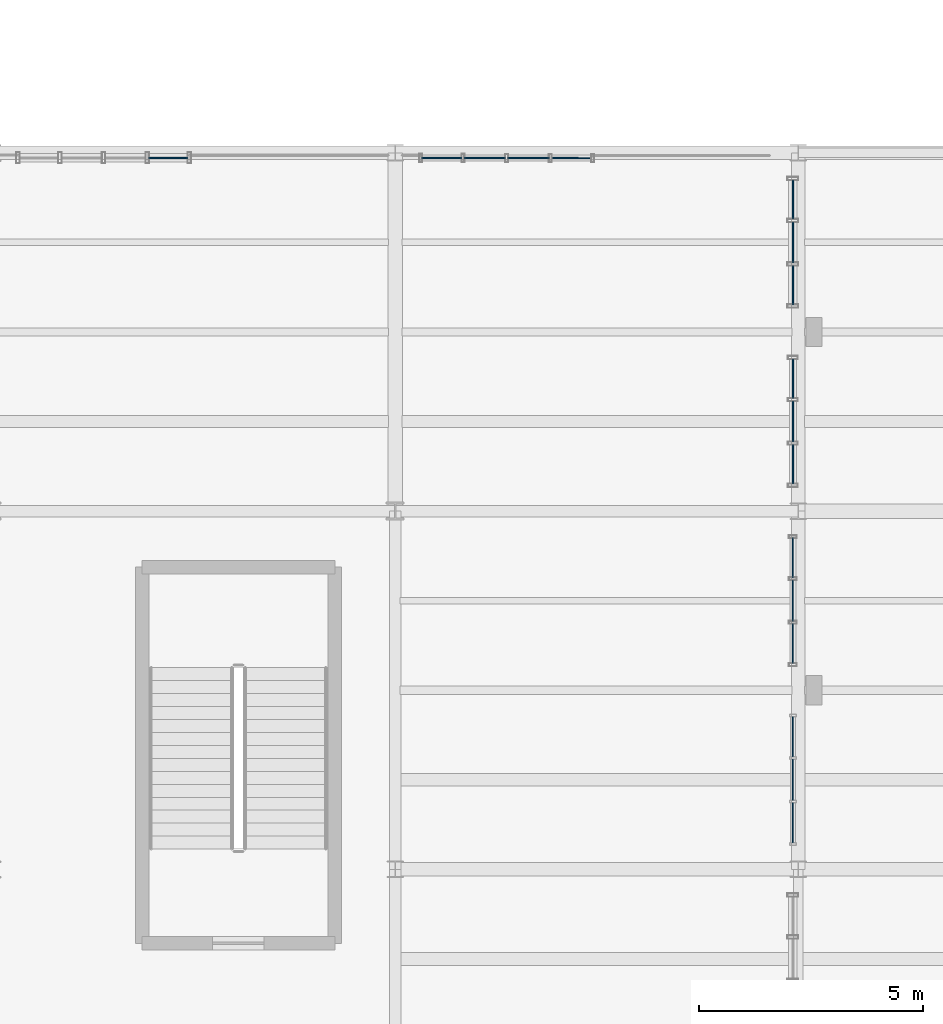
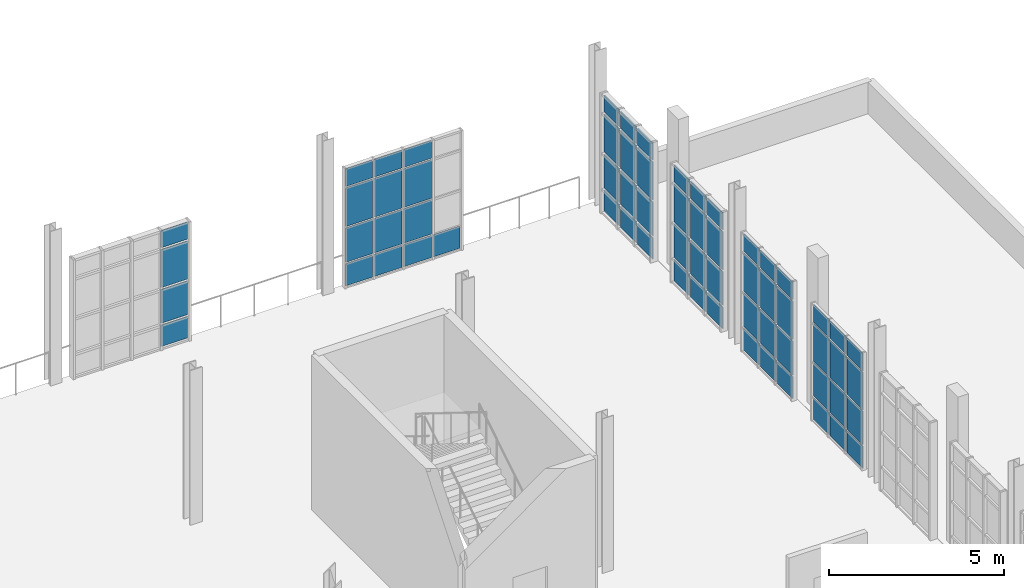
# One storey, part 117 of 142: 65 plates, 6 elements without a shape of their own.
"""IFC4 building model written with IfcOpenShell, lengths in metres."""

from ifc_helpers import new_model, si_unit, direction, frame, origin, origin_2d, place, context, subcontext, project, spatial, rectangle, extrude, material, layer, layer_set, type_object, element, aggregate, save


model = new_model("IFC4")

# Units and contexts
model_context = context("Model", 3, precision=1e-05, world=origin(), true_north=direction((0.0, 1.0)))
body_context = subcontext(model_context, "Body", "Model", "MODEL_VIEW")
ifc_project = project(units=[si_unit("LENGTHUNIT", "METRE"), si_unit("AREAUNIT", "SQUARE_METRE"), si_unit("VOLUMEUNIT", "CUBIC_METRE"), si_unit("PLANEANGLEUNIT", "RADIAN"), si_unit("MASSUNIT", "GRAM", prefix="KILO"), si_unit("THERMODYNAMICTEMPERATUREUNIT", "KELVIN"), si_unit("POWERUNIT", "WATT")], contexts=[model_context])

# Site, building, storey
site_placement = place(None, origin())
site = spatial("IfcSite", under=ifc_project, at=site_placement, CompositionType="ELEMENT")
building_placement = place(site_placement, origin())
building = spatial("IfcBuilding", under=site, at=building_placement, Name="Zelmaris Science Centre", CompositionType="ELEMENT")
storey_placement = place(building_placement, frame((0.0, 0.0, 5.39990234375)))
storey = spatial("IfcBuildingStorey", under=building, at=storey_placement, Name="L01", CompositionType="ELEMENT", Elevation=5.39990234375)

# Curtain wall, plates
ifc_material_1 = material(Name="Anodised architectural aluminium 6063-T6", Category="aluminium")
ifc_layer_1 = layer(ifc_material_1, 0.18994140625, Name="Anodised architectural aluminium 6063-T6")
ifc_layer_set_1 = layer_set([ifc_layer_1], Name="Anodised architectural aluminium 6063-T6")
curtain_wall_type_1 = type_object("IfcCurtainWallType", Name="Curtain Wall CW-01", PredefinedType="USERDEFINED", material=ifc_layer_set_1)
curtain_wall_1_placement = place(storey_placement, origin())
curtain_wall_1 = element("IfcCurtainWall", 1, at=curtain_wall_1_placement, inside=storey, type_object=curtain_wall_type_1, Name="L01 Unitised curtain wall 145", ObjectType="GLAZED CURTAIN WALL", PredefinedType="USERDEFINED")
ifc_material_2 = material(Name="Laminated hurricane-rated low-E insulated glazing", Category="glass")
ifc_layer_2 = layer(ifc_material_2, 0.031982421875, Name="Laminated hurricane-rated low-E insulated glazing")
ifc_layer_set_2 = layer_set([ifc_layer_2], Name="Laminated hurricane-rated low-E insulated glazing")
plate_type_1 = type_object("IfcPlateType", Name="Curtain Glazing Panel CWP-1 32mm", PredefinedType="CURTAIN_PANEL", material=ifc_layer_set_2)
plate_1_placement = place(storey_placement, frame((129.934326171875, 55.886962890625, 0.05712890625), z_axis=(0.0, 0.0, 1.0), x_axis=(0.999999881328, -0.000487179425, 0.0)))
plate_1 = element("IfcPlate", 2, at=plate_1_placement, type_object=plate_type_1, Name="CW-01 panel 4.1", PredefinedType="CURTAIN_PANEL", context=body_context, shape_type="SweptSolid", body=[
    extrude(rectangle(XDim=0.866943359375, YDim=0.031982421875, at=origin_2d()), origin(), (0.0, 0.0, 1.0), 0.741943359375),
])
plate_2_placement = place(storey_placement, frame((129.934326171875, 55.886962890625, 0.87109375), z_axis=(0.0, 0.0, 1.0), x_axis=(0.999999881328, -0.000487179425, 0.0)))
plate_2 = element("IfcPlate", 3, at=plate_2_placement, type_object=plate_type_1, Name="CW-01 panel 4.2", PredefinedType="CURTAIN_PANEL", context=body_context, shape_type="SweptSolid", body=[
    extrude(rectangle(XDim=0.866943359375, YDim=0.031982421875, at=origin_2d()), origin(), (0.0, 0.0, 1.0), 1.172119140625),
])
plate_3_placement = place(storey_placement, frame((129.934326171875, 55.886962890625, 2.115234375), z_axis=(0.0, 0.0, 1.0), x_axis=(0.999999881328, -0.000487179425, 0.0)))
plate_3 = element("IfcPlate", 4, at=plate_3_placement, type_object=plate_type_1, Name="CW-01 panel 4.3", PredefinedType="CURTAIN_PANEL", context=body_context, shape_type="SweptSolid", body=[
    extrude(rectangle(XDim=0.866943359375, YDim=0.031982421875, at=origin_2d()), origin(), (0.0, 0.0, 1.0), 1.322021484375),
])
plate_4_placement = place(storey_placement, frame((129.934326171875, 55.886962890625, 3.50927734375), z_axis=(0.0, 0.0, 1.0), x_axis=(0.999999881328, -0.000487179425, 0.0)))
plate_4 = element("IfcPlate", 5, at=plate_4_placement, type_object=plate_type_1, Name="CW-01 panel 4.4", PredefinedType="CURTAIN_PANEL", context=body_context, shape_type="SweptSolid", body=[
    extrude(rectangle(XDim=0.866943359375, YDim=0.031982421875, at=origin_2d()), origin(), (0.0, 0.0, 1.0), 0.592041015625),
])
aggregate(curtain_wall_1, [plate_1, plate_2, plate_3, plate_4])

curtain_wall_2_placement = place(storey_placement, origin())
curtain_wall_2 = element("IfcCurtainWall", 6, at=curtain_wall_2_placement, inside=storey, type_object=curtain_wall_type_1, Name="L01 Unitised curtain wall 149", ObjectType="GLAZED CURTAIN WALL", PredefinedType="USERDEFINED")
plate_5_placement = place(storey_placement, frame((143.8798828125, 54.955322265625, 0.05712890625), z_axis=(0.0, 0.0, 1.0), x_axis=(0.0, -1.0, 0.0)))
plate_5 = element("IfcPlate", 7, at=plate_5_placement, type_object=plate_type_1, Name="CW-01 panel 1.1", PredefinedType="CURTAIN_PANEL", context=body_context, shape_type="SweptSolid", body=[
    extrude(rectangle(XDim=0.865234375, YDim=0.031982421875, at=origin_2d()), origin(), (0.0, 0.0, 1.0), 0.741943359375),
])
plate_6_placement = place(storey_placement, frame((143.8798828125, 54.955322265625, 0.87109375), z_axis=(0.0, 0.0, 1.0), x_axis=(0.0, -1.0, 0.0)))
plate_6 = element("IfcPlate", 8, at=plate_6_placement, type_object=plate_type_1, Name="CW-01 panel 1.2", PredefinedType="CURTAIN_PANEL", context=body_context, shape_type="SweptSolid", body=[
    extrude(rectangle(XDim=0.865234375, YDim=0.031982421875, at=origin_2d()), origin(), (0.0, 0.0, 1.0), 1.178466796875),
])
plate_7_placement = place(storey_placement, frame((143.8798828125, 54.955322265625, 2.12158203125), z_axis=(0.0, 0.0, 1.0), x_axis=(0.0, -1.0, 0.0)))
plate_7 = element("IfcPlate", 9, at=plate_7_placement, type_object=plate_type_1, Name="CW-01 panel 1.3", PredefinedType="CURTAIN_PANEL", context=body_context, shape_type="SweptSolid", body=[
    extrude(rectangle(XDim=0.865234375, YDim=0.031982421875, at=origin_2d()), origin(), (0.0, 0.0, 1.0), 1.32861328125),
])
plate_8_placement = place(storey_placement, frame((143.8798828125, 54.955322265625, 3.52197265625), z_axis=(0.0, 0.0, 1.0), x_axis=(0.0, -1.0, 0.0)))
plate_8 = element("IfcPlate", 10, at=plate_8_placement, type_object=plate_type_1, Name="CW-01 panel 1.4", PredefinedType="CURTAIN_PANEL", context=body_context, shape_type="SweptSolid", body=[
    extrude(rectangle(XDim=0.865234375, YDim=0.031982421875, at=origin_2d()), origin(), (0.0, 0.0, 1.0), 0.592041015625),
])
plate_9_placement = place(storey_placement, frame((143.8798828125, 54.0, 0.05712890625), z_axis=(0.0, 0.0, 1.0), x_axis=(0.0, -1.0, 0.0)))
plate_9 = element("IfcPlate", 11, at=plate_9_placement, type_object=plate_type_1, Name="CW-01 panel 2.1", PredefinedType="CURTAIN_PANEL", context=body_context, shape_type="SweptSolid", body=[
    extrude(rectangle(XDim=0.9013671875, YDim=0.031982421875, at=origin_2d()), origin(), (0.0, 0.0, 1.0), 0.741943359375),
])
plate_10_placement = place(storey_placement, frame((143.8798828125, 54.0, 0.87109375), z_axis=(0.0, 0.0, 1.0), x_axis=(0.0, -1.0, 0.0)))
plate_10 = element("IfcPlate", 12, at=plate_10_placement, type_object=plate_type_1, Name="CW-01 panel 2.2", PredefinedType="CURTAIN_PANEL", context=body_context, shape_type="SweptSolid", body=[
    extrude(rectangle(XDim=0.9013671875, YDim=0.031982421875, at=origin_2d()), origin(), (0.0, 0.0, 1.0), 1.178466796875),
])
plate_11_placement = place(storey_placement, frame((143.8798828125, 54.0, 2.12158203125), z_axis=(0.0, 0.0, 1.0), x_axis=(0.0, -1.0, 0.0)))
plate_11 = element("IfcPlate", 13, at=plate_11_placement, type_object=plate_type_1, Name="CW-01 panel 2.3", PredefinedType="CURTAIN_PANEL", context=body_context, shape_type="SweptSolid", body=[
    extrude(rectangle(XDim=0.9013671875, YDim=0.031982421875, at=origin_2d()), origin(), (0.0, 0.0, 1.0), 1.32861328125),
])
plate_12_placement = place(storey_placement, frame((143.8798828125, 54.0, 3.52197265625), z_axis=(0.0, 0.0, 1.0), x_axis=(0.0, -1.0, 0.0)))
plate_12 = element("IfcPlate", 14, at=plate_12_placement, type_object=plate_type_1, Name="CW-01 panel 2.4", PredefinedType="CURTAIN_PANEL", context=body_context, shape_type="SweptSolid", body=[
    extrude(rectangle(XDim=0.9013671875, YDim=0.031982421875, at=origin_2d()), origin(), (0.0, 0.0, 1.0), 0.592041015625),
])
plate_13_placement = place(storey_placement, frame((143.8798828125, 53.044677734375, 0.05712890625), z_axis=(0.0, 0.0, 1.0), x_axis=(0.0, -1.0, 0.0)))
plate_13 = element("IfcPlate", 15, at=plate_13_placement, type_object=plate_type_1, Name="CW-01 panel 3.1", PredefinedType="CURTAIN_PANEL", context=body_context, shape_type="SweptSolid", body=[
    extrude(rectangle(XDim=0.865234375, YDim=0.031982421875, at=origin_2d()), origin(), (0.0, 0.0, 1.0), 0.741943359375),
])
plate_14_placement = place(storey_placement, frame((143.8798828125, 53.044677734375, 0.87109375), z_axis=(0.0, 0.0, 1.0), x_axis=(0.0, -1.0, 0.0)))
plate_14 = element("IfcPlate", 16, at=plate_14_placement, type_object=plate_type_1, Name="CW-01 panel 3.2", PredefinedType="CURTAIN_PANEL", context=body_context, shape_type="SweptSolid", body=[
    extrude(rectangle(XDim=0.865234375, YDim=0.031982421875, at=origin_2d()), origin(), (0.0, 0.0, 1.0), 1.178466796875),
])
plate_15_placement = place(storey_placement, frame((143.8798828125, 53.044677734375, 2.12158203125), z_axis=(0.0, 0.0, 1.0), x_axis=(0.0, -1.0, 0.0)))
plate_15 = element("IfcPlate", 17, at=plate_15_placement, type_object=plate_type_1, Name="CW-01 panel 3.3", PredefinedType="CURTAIN_PANEL", context=body_context, shape_type="SweptSolid", body=[
    extrude(rectangle(XDim=0.865234375, YDim=0.031982421875, at=origin_2d()), origin(), (0.0, 0.0, 1.0), 1.32861328125),
])
plate_16_placement = place(storey_placement, frame((143.8798828125, 53.044677734375, 3.52197265625), z_axis=(0.0, 0.0, 1.0), x_axis=(0.0, -1.0, 0.0)))
plate_16 = element("IfcPlate", 18, at=plate_16_placement, type_object=plate_type_1, Name="CW-01 panel 3.4", PredefinedType="CURTAIN_PANEL", context=body_context, shape_type="SweptSolid", body=[
    extrude(rectangle(XDim=0.865234375, YDim=0.031982421875, at=origin_2d()), origin(), (0.0, 0.0, 1.0), 0.592041015625),
])
aggregate(curtain_wall_2, [plate_5, plate_6, plate_7, plate_8, plate_9, plate_10, plate_11, plate_12, plate_13, plate_14, plate_15, plate_16])

ifc_layer_3 = layer(ifc_material_1, 0.199951171875, Name="Anodised architectural aluminium 6063-T6")
ifc_layer_set_3 = layer_set([ifc_layer_3], Name="Anodised architectural aluminium 6063-T6")
curtain_wall_type_2 = type_object("IfcCurtainWallType", Name="Curtain Wall CW-02", PredefinedType="USERDEFINED", material=ifc_layer_set_3)
curtain_wall_3_placement = place(storey_placement, origin())
curtain_wall_3 = element("IfcCurtainWall", 19, at=curtain_wall_3_placement, inside=storey, type_object=curtain_wall_type_2, Name="L01 Unitised curtain wall 150", ObjectType="GLAZED CURTAIN WALL", PredefinedType="USERDEFINED")
ifc_layer_4 = layer(ifc_material_2, 0.028076171875, Name="Laminated hurricane-rated low-E insulated glazing")
ifc_layer_set_4 = layer_set([ifc_layer_4], Name="Laminated hurricane-rated low-E insulated glazing")
plate_type_2 = type_object("IfcPlateType", Name="Curtain Glazing Panel CWP-2 28mm", PredefinedType="CURTAIN_PANEL", material=ifc_layer_set_4)
plate_17_placement = place(storey_placement, frame((143.8798828125, 50.95654296875, 0.052001953125), z_axis=(0.0, 0.0, 1.0), x_axis=(0.0, -1.0, 0.0)))
plate_17 = element("IfcPlate", 20, at=plate_17_placement, type_object=plate_type_2, Name="CW-02 panel 1.1", PredefinedType="CURTAIN_PANEL", context=body_context, shape_type="SweptSolid", body=[
    extrude(rectangle(XDim=0.872802734375, YDim=0.028076171875, at=origin_2d()), origin(), (0.0, 0.0, 1.0), 0.74951171875),
])
plate_18_placement = place(storey_placement, frame((143.8798828125, 50.95654296875, 0.86865234375), z_axis=(0.0, 0.0, 1.0), x_axis=(0.0, -1.0, 0.0)))
plate_18 = element("IfcPlate", 21, at=plate_18_placement, type_object=plate_type_2, Name="CW-02 panel 1.2", PredefinedType="CURTAIN_PANEL", context=body_context, shape_type="SweptSolid", body=[
    extrude(rectangle(XDim=0.872802734375, YDim=0.028076171875, at=origin_2d()), origin(), (0.0, 0.0, 1.0), 1.177001953125),
])
plate_19_placement = place(storey_placement, frame((143.8798828125, 50.95654296875, 2.11279296875), z_axis=(0.0, 0.0, 1.0), x_axis=(0.0, -1.0, 0.0)))
plate_19 = element("IfcPlate", 22, at=plate_19_placement, type_object=plate_type_2, Name="CW-02 panel 1.3", PredefinedType="CURTAIN_PANEL", context=body_context, shape_type="SweptSolid", body=[
    extrude(rectangle(XDim=0.872802734375, YDim=0.028076171875, at=origin_2d()), origin(), (0.0, 0.0, 1.0), 1.326904296875),
])
plate_20_placement = place(storey_placement, frame((143.8798828125, 50.95654296875, 3.506591796875), z_axis=(0.0, 0.0, 1.0), x_axis=(0.0, -1.0, 0.0)))
plate_20 = element("IfcPlate", 23, at=plate_20_placement, type_object=plate_type_2, Name="CW-02 panel 1.4", PredefinedType="CURTAIN_PANEL", context=body_context, shape_type="SweptSolid", body=[
    extrude(rectangle(XDim=0.872802734375, YDim=0.028076171875, at=origin_2d()), origin(), (0.0, 0.0, 1.0), 0.599609375),
])
plate_21_placement = place(storey_placement, frame((143.8798828125, 50.0, 0.052001953125), z_axis=(0.0, 0.0, 1.0), x_axis=(0.0, -1.0, 0.0)))
plate_21 = element("IfcPlate", 24, at=plate_21_placement, type_object=plate_type_2, Name="CW-02 panel 2.1", PredefinedType="CURTAIN_PANEL", context=body_context, shape_type="SweptSolid", body=[
    extrude(rectangle(XDim=0.90625, YDim=0.028076171875, at=origin_2d()), origin(), (0.0, 0.0, 1.0), 0.74951171875),
])
plate_22_placement = place(storey_placement, frame((143.8798828125, 50.0, 0.86865234375), z_axis=(0.0, 0.0, 1.0), x_axis=(0.0, -1.0, 0.0)))
plate_22 = element("IfcPlate", 25, at=plate_22_placement, type_object=plate_type_2, Name="CW-02 panel 2.2", PredefinedType="CURTAIN_PANEL", context=body_context, shape_type="SweptSolid", body=[
    extrude(rectangle(XDim=0.90625, YDim=0.028076171875, at=origin_2d()), origin(), (0.0, 0.0, 1.0), 1.177001953125),
])
plate_23_placement = place(storey_placement, frame((143.8798828125, 50.0, 2.11279296875), z_axis=(0.0, 0.0, 1.0), x_axis=(0.0, -1.0, 0.0)))
plate_23 = element("IfcPlate", 26, at=plate_23_placement, type_object=plate_type_2, Name="CW-02 panel 2.3", PredefinedType="CURTAIN_PANEL", context=body_context, shape_type="SweptSolid", body=[
    extrude(rectangle(XDim=0.90625, YDim=0.028076171875, at=origin_2d()), origin(), (0.0, 0.0, 1.0), 1.326904296875),
])
plate_24_placement = place(storey_placement, frame((143.8798828125, 50.0, 3.506591796875), z_axis=(0.0, 0.0, 1.0), x_axis=(0.0, -1.0, 0.0)))
plate_24 = element("IfcPlate", 27, at=plate_24_placement, type_object=plate_type_2, Name="CW-02 panel 2.4", PredefinedType="CURTAIN_PANEL", context=body_context, shape_type="SweptSolid", body=[
    extrude(rectangle(XDim=0.90625, YDim=0.028076171875, at=origin_2d()), origin(), (0.0, 0.0, 1.0), 0.599609375),
])
plate_25_placement = place(storey_placement, frame((143.8798828125, 49.04345703125, 0.052001953125), z_axis=(0.0, 0.0, 1.0), x_axis=(0.0, -1.0, 0.0)))
plate_25 = element("IfcPlate", 28, at=plate_25_placement, type_object=plate_type_2, Name="CW-02 panel 3.1", PredefinedType="CURTAIN_PANEL", context=body_context, shape_type="SweptSolid", body=[
    extrude(rectangle(XDim=0.872802734375, YDim=0.028076171875, at=origin_2d()), origin(), (0.0, 0.0, 1.0), 0.74951171875),
])
plate_26_placement = place(storey_placement, frame((143.8798828125, 49.04345703125, 0.86865234375), z_axis=(0.0, 0.0, 1.0), x_axis=(0.0, -1.0, 0.0)))
plate_26 = element("IfcPlate", 29, at=plate_26_placement, type_object=plate_type_2, Name="CW-02 panel 3.2", PredefinedType="CURTAIN_PANEL", context=body_context, shape_type="SweptSolid", body=[
    extrude(rectangle(XDim=0.872802734375, YDim=0.028076171875, at=origin_2d()), origin(), (0.0, 0.0, 1.0), 1.177001953125),
])
plate_27_placement = place(storey_placement, frame((143.8798828125, 49.04345703125, 2.11279296875), z_axis=(0.0, 0.0, 1.0), x_axis=(0.0, -1.0, 0.0)))
plate_27 = element("IfcPlate", 30, at=plate_27_placement, type_object=plate_type_2, Name="CW-02 panel 3.3", PredefinedType="CURTAIN_PANEL", context=body_context, shape_type="SweptSolid", body=[
    extrude(rectangle(XDim=0.872802734375, YDim=0.028076171875, at=origin_2d()), origin(), (0.0, 0.0, 1.0), 1.326904296875),
])
plate_28_placement = place(storey_placement, frame((143.8798828125, 49.04345703125, 3.506591796875), z_axis=(0.0, 0.0, 1.0), x_axis=(0.0, -1.0, 0.0)))
plate_28 = element("IfcPlate", 31, at=plate_28_placement, type_object=plate_type_2, Name="CW-02 panel 3.4", PredefinedType="CURTAIN_PANEL", context=body_context, shape_type="SweptSolid", body=[
    extrude(rectangle(XDim=0.872802734375, YDim=0.028076171875, at=origin_2d()), origin(), (0.0, 0.0, 1.0), 0.599609375),
])
aggregate(curtain_wall_3, [plate_17, plate_18, plate_19, plate_20, plate_21, plate_22, plate_23, plate_24, plate_25, plate_26, plate_27, plate_28])

ifc_layer_5 = layer(ifc_material_1, 0.2099609375, Name="Anodised architectural aluminium 6063-T6")
ifc_layer_set_5 = layer_set([ifc_layer_5], Name="Anodised architectural aluminium 6063-T6")
curtain_wall_type_3 = type_object("IfcCurtainWallType", Name="Curtain Wall CW-03", PredefinedType="USERDEFINED", material=ifc_layer_set_5)
curtain_wall_4_placement = place(storey_placement, origin())
curtain_wall_4 = element("IfcCurtainWall", 32, at=curtain_wall_4_placement, inside=storey, type_object=curtain_wall_type_3, Name="L01 Unitised curtain wall 147", ObjectType="GLAZED CURTAIN WALL", PredefinedType="USERDEFINED")
ifc_layer_6 = layer(ifc_material_2, 0.02587890625, Name="Laminated hurricane-rated low-E insulated glazing")
ifc_layer_set_6 = layer_set([ifc_layer_6], Name="Laminated hurricane-rated low-E insulated glazing")
plate_type_3 = type_object("IfcPlateType", Name="Curtain Glazing Panel CWP-3 26mm", PredefinedType="CURTAIN_PANEL", material=ifc_layer_set_6)
plate_29_placement = place(storey_placement, frame((136.041748046875, 55.8837890625, 0.0419921875), z_axis=(0.0, 0.0, 1.0), x_axis=(0.999999881328, -0.000487179425, 0.0)))
plate_29 = element("IfcPlate", 33, at=plate_29_placement, type_object=plate_type_3, Name="CW-03 panel 1.1", PredefinedType="CURTAIN_PANEL", context=body_context, shape_type="SweptSolid", body=[
    extrude(rectangle(XDim=0.889404296875, YDim=0.02587890625, at=origin_2d()), origin(), (0.0, 0.0, 1.0), 0.764404296875),
])
plate_30_placement = place(storey_placement, frame((136.041748046875, 55.8837890625, 0.86376953125), z_axis=(0.0, 0.0, 1.0), x_axis=(0.999999881328, -0.000487179425, 0.0)))
plate_30 = element("IfcPlate", 34, at=plate_30_placement, type_object=plate_type_3, Name="CW-03 panel 1.2", PredefinedType="CURTAIN_PANEL", context=body_context, shape_type="SweptSolid", body=[
    extrude(rectangle(XDim=0.889404296875, YDim=0.02587890625, at=origin_2d()), origin(), (0.0, 0.0, 1.0), 1.193603515625),
])
plate_31_placement = place(storey_placement, frame((136.041748046875, 55.8837890625, 2.1142578125), z_axis=(0.0, 0.0, 1.0), x_axis=(0.999999881328, -0.000487179425, 0.0)))
plate_31 = element("IfcPlate", 35, at=plate_31_placement, type_object=plate_type_3, Name="CW-03 panel 1.3", PredefinedType="CURTAIN_PANEL", context=body_context, shape_type="SweptSolid", body=[
    extrude(rectangle(XDim=0.889404296875, YDim=0.02587890625, at=origin_2d()), origin(), (0.0, 0.0, 1.0), 1.343505859375),
])
plate_32_placement = place(storey_placement, frame((136.041748046875, 55.8837890625, 3.5146484375), z_axis=(0.0, 0.0, 1.0), x_axis=(0.999999881328, -0.000487179425, 0.0)))
plate_32 = element("IfcPlate", 36, at=plate_32_placement, type_object=plate_type_3, Name="CW-03 panel 1.4", PredefinedType="CURTAIN_PANEL", context=body_context, shape_type="SweptSolid", body=[
    extrude(rectangle(XDim=0.889404296875, YDim=0.02587890625, at=origin_2d()), origin(), (0.0, 0.0, 1.0), 0.614501953125),
])
plate_33_placement = place(storey_placement, frame((137.00244140625, 55.88330078125, 0.0419921875), z_axis=(0.0, 0.0, 1.0), x_axis=(0.999999881328, -0.000487179425, 0.0)))
plate_33 = element("IfcPlate", 37, at=plate_33_placement, type_object=plate_type_3, Name="CW-03 panel 2.1", PredefinedType="CURTAIN_PANEL", context=body_context, shape_type="SweptSolid", body=[
    extrude(rectangle(XDim=0.91796875, YDim=0.02587890625, at=origin_2d()), origin(), (0.0, 0.0, 1.0), 0.764404296875),
])
plate_34_placement = place(storey_placement, frame((137.00244140625, 55.88330078125, 0.86376953125), z_axis=(0.0, 0.0, 1.0), x_axis=(0.999999881328, -0.000487179425, 0.0)))
plate_34 = element("IfcPlate", 38, at=plate_34_placement, type_object=plate_type_3, Name="CW-03 panel 2.2", PredefinedType="CURTAIN_PANEL", context=body_context, shape_type="SweptSolid", body=[
    extrude(rectangle(XDim=0.91796875, YDim=0.02587890625, at=origin_2d()), origin(), (0.0, 0.0, 1.0), 1.193603515625),
])
plate_35_placement = place(storey_placement, frame((137.00244140625, 55.88330078125, 2.1142578125), z_axis=(0.0, 0.0, 1.0), x_axis=(0.999999881328, -0.000487179425, 0.0)))
plate_35 = element("IfcPlate", 39, at=plate_35_placement, type_object=plate_type_3, Name="CW-03 panel 2.3", PredefinedType="CURTAIN_PANEL", context=body_context, shape_type="SweptSolid", body=[
    extrude(rectangle(XDim=0.91796875, YDim=0.02587890625, at=origin_2d()), origin(), (0.0, 0.0, 1.0), 1.343505859375),
])
plate_36_placement = place(storey_placement, frame((137.00244140625, 55.88330078125, 3.5146484375), z_axis=(0.0, 0.0, 1.0), x_axis=(0.999999881328, -0.000487179425, 0.0)))
plate_36 = element("IfcPlate", 40, at=plate_36_placement, type_object=plate_type_3, Name="CW-03 panel 2.4", PredefinedType="CURTAIN_PANEL", context=body_context, shape_type="SweptSolid", body=[
    extrude(rectangle(XDim=0.91796875, YDim=0.02587890625, at=origin_2d()), origin(), (0.0, 0.0, 1.0), 0.614501953125),
])
plate_37_placement = place(storey_placement, frame((137.977294921875, 55.8828125, 0.0419921875), z_axis=(0.0, 0.0, 1.0), x_axis=(0.999999881328, -0.000487179425, 0.0)))
plate_37 = element("IfcPlate", 41, at=plate_37_placement, type_object=plate_type_3, Name="CW-03 panel 3.1", PredefinedType="CURTAIN_PANEL", context=body_context, shape_type="SweptSolid", body=[
    extrude(rectangle(XDim=0.91796875, YDim=0.02587890625, at=origin_2d()), origin(), (0.0, 0.0, 1.0), 0.764404296875),
])
plate_38_placement = place(storey_placement, frame((137.977294921875, 55.8828125, 0.86376953125), z_axis=(0.0, 0.0, 1.0), x_axis=(0.999999881328, -0.000487179425, 0.0)))
plate_38 = element("IfcPlate", 42, at=plate_38_placement, type_object=plate_type_3, Name="CW-03 panel 3.2", PredefinedType="CURTAIN_PANEL", context=body_context, shape_type="SweptSolid", body=[
    extrude(rectangle(XDim=0.91796875, YDim=0.02587890625, at=origin_2d()), origin(), (0.0, 0.0, 1.0), 1.193603515625),
])
plate_39_placement = place(storey_placement, frame((137.977294921875, 55.8828125, 2.1142578125), z_axis=(0.0, 0.0, 1.0), x_axis=(0.999999881328, -0.000487179425, 0.0)))
plate_39 = element("IfcPlate", 43, at=plate_39_placement, type_object=plate_type_3, Name="CW-03 panel 3.3", PredefinedType="CURTAIN_PANEL", context=body_context, shape_type="SweptSolid", body=[
    extrude(rectangle(XDim=0.91796875, YDim=0.02587890625, at=origin_2d()), origin(), (0.0, 0.0, 1.0), 1.343505859375),
])
plate_40_placement = place(storey_placement, frame((137.977294921875, 55.8828125, 3.5146484375), z_axis=(0.0, 0.0, 1.0), x_axis=(0.999999881328, -0.000487179425, 0.0)))
plate_40 = element("IfcPlate", 44, at=plate_40_placement, type_object=plate_type_3, Name="CW-03 panel 3.4", PredefinedType="CURTAIN_PANEL", context=body_context, shape_type="SweptSolid", body=[
    extrude(rectangle(XDim=0.91796875, YDim=0.02587890625, at=origin_2d()), origin(), (0.0, 0.0, 1.0), 0.614501953125),
])
plate_41_placement = place(storey_placement, frame((138.938232421875, 55.88232421875, 0.0419921875), z_axis=(0.0, 0.0, 1.0), x_axis=(0.999999881328, -0.000487179425, 0.0)))
plate_41 = element("IfcPlate", 45, at=plate_41_placement, type_object=plate_type_3, Name="CW-03 panel 4.1", PredefinedType="CURTAIN_PANEL", context=body_context, shape_type="SweptSolid", body=[
    extrude(rectangle(XDim=0.889404296875, YDim=0.02587890625, at=origin_2d()), origin(), (0.0, 0.0, 1.0), 0.764404296875),
])
aggregate(curtain_wall_4, [plate_29, plate_30, plate_31, plate_32, plate_33, plate_34, plate_35, plate_36, plate_37, plate_38, plate_39, plate_40, plate_41])

curtain_wall_5_placement = place(storey_placement, origin())
curtain_wall_5 = element("IfcCurtainWall", 46, at=curtain_wall_5_placement, inside=storey, type_object=curtain_wall_type_3, Name="L01 Unitised curtain wall 151", ObjectType="GLAZED CURTAIN WALL", PredefinedType="USERDEFINED")
plate_42_placement = place(storey_placement, frame((143.8798828125, 46.958984375, 0.0419921875), z_axis=(0.0, 0.0, 1.0), x_axis=(0.0, -1.0, 0.0)))
plate_42 = element("IfcPlate", 47, at=plate_42_placement, type_object=plate_type_3, Name="CW-03 panel 1.1", PredefinedType="CURTAIN_PANEL", context=body_context, shape_type="SweptSolid", body=[
    extrude(rectangle(XDim=0.887939453125, YDim=0.02587890625, at=origin_2d()), origin(), (0.0, 0.0, 1.0), 0.764404296875),
])
plate_43_placement = place(storey_placement, frame((143.8798828125, 46.958984375, 0.863525390625), z_axis=(0.0, 0.0, 1.0), x_axis=(0.0, -1.0, 0.0)))
plate_43 = element("IfcPlate", 48, at=plate_43_placement, type_object=plate_type_3, Name="CW-03 panel 1.2", PredefinedType="CURTAIN_PANEL", context=body_context, shape_type="SweptSolid", body=[
    extrude(rectangle(XDim=0.887939453125, YDim=0.02587890625, at=origin_2d()), origin(), (0.0, 0.0, 1.0), 1.18701171875),
])
plate_44_placement = place(storey_placement, frame((143.8798828125, 46.958984375, 2.107666015625), z_axis=(0.0, 0.0, 1.0), x_axis=(0.0, -1.0, 0.0)))
plate_44 = element("IfcPlate", 49, at=plate_44_placement, type_object=plate_type_3, Name="CW-03 panel 1.3", PredefinedType="CURTAIN_PANEL", context=body_context, shape_type="SweptSolid", body=[
    extrude(rectangle(XDim=0.887939453125, YDim=0.02587890625, at=origin_2d()), origin(), (0.0, 0.0, 1.0), 1.3369140625),
])
plate_45_placement = place(storey_placement, frame((143.8798828125, 46.958984375, 3.50146484375), z_axis=(0.0, 0.0, 1.0), x_axis=(0.0, -1.0, 0.0)))
plate_45 = element("IfcPlate", 50, at=plate_45_placement, type_object=plate_type_3, Name="CW-03 panel 1.4", PredefinedType="CURTAIN_PANEL", context=body_context, shape_type="SweptSolid", body=[
    extrude(rectangle(XDim=0.887939453125, YDim=0.02587890625, at=origin_2d()), origin(), (0.0, 0.0, 1.0), 0.614501953125),
])
plate_46_placement = place(storey_placement, frame((143.8798828125, 46.0, 0.0419921875), z_axis=(0.0, 0.0, 1.0), x_axis=(0.0, -1.0, 0.0)))
plate_46 = element("IfcPlate", 51, at=plate_46_placement, type_object=plate_type_3, Name="CW-03 panel 2.1", PredefinedType="CURTAIN_PANEL", context=body_context, shape_type="SweptSolid", body=[
    extrude(rectangle(XDim=0.916259765625, YDim=0.02587890625, at=origin_2d()), origin(), (0.0, 0.0, 1.0), 0.764404296875),
])
plate_47_placement = place(storey_placement, frame((143.8798828125, 46.0, 0.863525390625), z_axis=(0.0, 0.0, 1.0), x_axis=(0.0, -1.0, 0.0)))
plate_47 = element("IfcPlate", 52, at=plate_47_placement, type_object=plate_type_3, Name="CW-03 panel 2.2", PredefinedType="CURTAIN_PANEL", context=body_context, shape_type="SweptSolid", body=[
    extrude(rectangle(XDim=0.916259765625, YDim=0.02587890625, at=origin_2d()), origin(), (0.0, 0.0, 1.0), 1.18701171875),
])
plate_48_placement = place(storey_placement, frame((143.8798828125, 46.0, 2.107666015625), z_axis=(0.0, 0.0, 1.0), x_axis=(0.0, -1.0, 0.0)))
plate_48 = element("IfcPlate", 53, at=plate_48_placement, type_object=plate_type_3, Name="CW-03 panel 2.3", PredefinedType="CURTAIN_PANEL", context=body_context, shape_type="SweptSolid", body=[
    extrude(rectangle(XDim=0.916259765625, YDim=0.02587890625, at=origin_2d()), origin(), (0.0, 0.0, 1.0), 1.3369140625),
])
plate_49_placement = place(storey_placement, frame((143.8798828125, 46.0, 3.50146484375), z_axis=(0.0, 0.0, 1.0), x_axis=(0.0, -1.0, 0.0)))
plate_49 = element("IfcPlate", 54, at=plate_49_placement, type_object=plate_type_3, Name="CW-03 panel 2.4", PredefinedType="CURTAIN_PANEL", context=body_context, shape_type="SweptSolid", body=[
    extrude(rectangle(XDim=0.916259765625, YDim=0.02587890625, at=origin_2d()), origin(), (0.0, 0.0, 1.0), 0.614501953125),
])
plate_50_placement = place(storey_placement, frame((143.8798828125, 45.041015625, 0.0419921875), z_axis=(0.0, 0.0, 1.0), x_axis=(0.0, -1.0, 0.0)))
plate_50 = element("IfcPlate", 55, at=plate_50_placement, type_object=plate_type_3, Name="CW-03 panel 3.1", PredefinedType="CURTAIN_PANEL", context=body_context, shape_type="SweptSolid", body=[
    extrude(rectangle(XDim=0.887939453125, YDim=0.02587890625, at=origin_2d()), origin(), (0.0, 0.0, 1.0), 0.764404296875),
])
plate_51_placement = place(storey_placement, frame((143.8798828125, 45.041015625, 0.863525390625), z_axis=(0.0, 0.0, 1.0), x_axis=(0.0, -1.0, 0.0)))
plate_51 = element("IfcPlate", 56, at=plate_51_placement, type_object=plate_type_3, Name="CW-03 panel 3.2", PredefinedType="CURTAIN_PANEL", context=body_context, shape_type="SweptSolid", body=[
    extrude(rectangle(XDim=0.887939453125, YDim=0.02587890625, at=origin_2d()), origin(), (0.0, 0.0, 1.0), 1.18701171875),
])
plate_52_placement = place(storey_placement, frame((143.8798828125, 45.041015625, 2.107666015625), z_axis=(0.0, 0.0, 1.0), x_axis=(0.0, -1.0, 0.0)))
plate_52 = element("IfcPlate", 57, at=plate_52_placement, type_object=plate_type_3, Name="CW-03 panel 3.3", PredefinedType="CURTAIN_PANEL", context=body_context, shape_type="SweptSolid", body=[
    extrude(rectangle(XDim=0.887939453125, YDim=0.02587890625, at=origin_2d()), origin(), (0.0, 0.0, 1.0), 1.3369140625),
])
plate_53_placement = place(storey_placement, frame((143.8798828125, 45.041015625, 3.50146484375), z_axis=(0.0, 0.0, 1.0), x_axis=(0.0, -1.0, 0.0)))
plate_53 = element("IfcPlate", 58, at=plate_53_placement, type_object=plate_type_3, Name="CW-03 panel 3.4", PredefinedType="CURTAIN_PANEL", context=body_context, shape_type="SweptSolid", body=[
    extrude(rectangle(XDim=0.887939453125, YDim=0.02587890625, at=origin_2d()), origin(), (0.0, 0.0, 1.0), 0.614501953125),
])
aggregate(curtain_wall_5, [plate_42, plate_43, plate_44, plate_45, plate_46, plate_47, plate_48, plate_49, plate_50, plate_51, plate_52, plate_53])

ifc_layer_7 = layer(ifc_material_1, 0.219970703125, Name="Anodised architectural aluminium 6063-T6")
ifc_layer_set_7 = layer_set([ifc_layer_7], Name="Anodised architectural aluminium 6063-T6")
curtain_wall_type_4 = type_object("IfcCurtainWallType", Name="Curtain Wall CW-04", PredefinedType="USERDEFINED", material=ifc_layer_set_7)
curtain_wall_6_placement = place(storey_placement, origin())
curtain_wall_6 = element("IfcCurtainWall", 59, at=curtain_wall_6_placement, inside=storey, type_object=curtain_wall_type_4, Name="L01 Unitised curtain wall 152", ObjectType="GLAZED CURTAIN WALL", PredefinedType="USERDEFINED")
ifc_layer_8 = layer(ifc_material_2, 0.02392578125, Name="Laminated hurricane-rated low-E insulated glazing")
ifc_layer_set_8 = layer_set([ifc_layer_8], Name="Laminated hurricane-rated low-E insulated glazing")
plate_type_4 = type_object("IfcPlateType", Name="Curtain Glazing Panel CWP-4 24mm", PredefinedType="CURTAIN_PANEL", material=ifc_layer_set_8)
plate_54_placement = place(storey_placement, frame((143.8798828125, 42.96044921875, 0.037109375), z_axis=(0.0, 0.0, 1.0), x_axis=(0.0, -1.0, 0.0)))
plate_54 = element("IfcPlate", 60, at=plate_54_placement, type_object=plate_type_4, Name="CW-04 panel 1.1", PredefinedType="CURTAIN_PANEL", context=body_context, shape_type="SweptSolid", body=[
    extrude(rectangle(XDim=0.895263671875, YDim=0.02392578125, at=origin_2d()), origin(), (0.0, 0.0, 1.0), 0.77197265625),
])
plate_55_placement = place(storey_placement, frame((143.8798828125, 42.96044921875, 0.861083984375), z_axis=(0.0, 0.0, 1.0), x_axis=(0.0, -1.0, 0.0)))
plate_55 = element("IfcPlate", 61, at=plate_55_placement, type_object=plate_type_4, Name="CW-04 panel 1.2", PredefinedType="CURTAIN_PANEL", context=body_context, shape_type="SweptSolid", body=[
    extrude(rectangle(XDim=0.895263671875, YDim=0.02392578125, at=origin_2d()), origin(), (0.0, 0.0, 1.0), 1.16259765625),
])
plate_56_placement = place(storey_placement, frame((143.8798828125, 42.96044921875, 2.07568359375), z_axis=(0.0, 0.0, 1.0), x_axis=(0.0, -1.0, 0.0)))
plate_56 = element("IfcPlate", 62, at=plate_56_placement, type_object=plate_type_4, Name="CW-04 panel 1.3", PredefinedType="CURTAIN_PANEL", context=body_context, shape_type="SweptSolid", body=[
    extrude(rectangle(XDim=0.895263671875, YDim=0.02392578125, at=origin_2d()), origin(), (0.0, 0.0, 1.0), 1.3125),
])
plate_57_placement = place(storey_placement, frame((143.8798828125, 42.96044921875, 3.43994140625), z_axis=(0.0, 0.0, 1.0), x_axis=(0.0, -1.0, 0.0)))
plate_57 = element("IfcPlate", 63, at=plate_57_placement, type_object=plate_type_4, Name="CW-04 panel 1.4", PredefinedType="CURTAIN_PANEL", context=body_context, shape_type="SweptSolid", body=[
    extrude(rectangle(XDim=0.895263671875, YDim=0.02392578125, at=origin_2d()), origin(), (0.0, 0.0, 1.0), 0.6220703125),
])
plate_58_placement = place(storey_placement, frame((143.8798828125, 42.0, 0.037109375), z_axis=(0.0, 0.0, 1.0), x_axis=(0.0, -1.0, 0.0)))
plate_58 = element("IfcPlate", 64, at=plate_58_placement, type_object=plate_type_4, Name="CW-04 panel 2.1", PredefinedType="CURTAIN_PANEL", context=body_context, shape_type="SweptSolid", body=[
    extrude(rectangle(XDim=0.92138671875, YDim=0.02392578125, at=origin_2d()), origin(), (0.0, 0.0, 1.0), 0.77197265625),
])
plate_59_placement = place(storey_placement, frame((143.8798828125, 42.0, 0.861083984375), z_axis=(0.0, 0.0, 1.0), x_axis=(0.0, -1.0, 0.0)))
plate_59 = element("IfcPlate", 65, at=plate_59_placement, type_object=plate_type_4, Name="CW-04 panel 2.2", PredefinedType="CURTAIN_PANEL", context=body_context, shape_type="SweptSolid", body=[
    extrude(rectangle(XDim=0.92138671875, YDim=0.02392578125, at=origin_2d()), origin(), (0.0, 0.0, 1.0), 1.16259765625),
])
plate_60_placement = place(storey_placement, frame((143.8798828125, 42.0, 2.07568359375), z_axis=(0.0, 0.0, 1.0), x_axis=(0.0, -1.0, 0.0)))
plate_60 = element("IfcPlate", 66, at=plate_60_placement, type_object=plate_type_4, Name="CW-04 panel 2.3", PredefinedType="CURTAIN_PANEL", context=body_context, shape_type="SweptSolid", body=[
    extrude(rectangle(XDim=0.92138671875, YDim=0.02392578125, at=origin_2d()), origin(), (0.0, 0.0, 1.0), 1.3125),
])
plate_61_placement = place(storey_placement, frame((143.8798828125, 42.0, 3.43994140625), z_axis=(0.0, 0.0, 1.0), x_axis=(0.0, -1.0, 0.0)))
plate_61 = element("IfcPlate", 67, at=plate_61_placement, type_object=plate_type_4, Name="CW-04 panel 2.4", PredefinedType="CURTAIN_PANEL", context=body_context, shape_type="SweptSolid", body=[
    extrude(rectangle(XDim=0.92138671875, YDim=0.02392578125, at=origin_2d()), origin(), (0.0, 0.0, 1.0), 0.6220703125),
])
plate_62_placement = place(storey_placement, frame((143.8798828125, 41.03955078125, 0.037109375), z_axis=(0.0, 0.0, 1.0), x_axis=(0.0, -1.0, 0.0)))
plate_62 = element("IfcPlate", 68, at=plate_62_placement, type_object=plate_type_4, Name="CW-04 panel 3.1", PredefinedType="CURTAIN_PANEL", context=body_context, shape_type="SweptSolid", body=[
    extrude(rectangle(XDim=0.895263671875, YDim=0.02392578125, at=origin_2d()), origin(), (0.0, 0.0, 1.0), 0.77197265625),
])
plate_63_placement = place(storey_placement, frame((143.8798828125, 41.03955078125, 0.861083984375), z_axis=(0.0, 0.0, 1.0), x_axis=(0.0, -1.0, 0.0)))
plate_63 = element("IfcPlate", 69, at=plate_63_placement, type_object=plate_type_4, Name="CW-04 panel 3.2", PredefinedType="CURTAIN_PANEL", context=body_context, shape_type="SweptSolid", body=[
    extrude(rectangle(XDim=0.895263671875, YDim=0.02392578125, at=origin_2d()), origin(), (0.0, 0.0, 1.0), 1.16259765625),
])
plate_64_placement = place(storey_placement, frame((143.8798828125, 41.03955078125, 2.07568359375), z_axis=(0.0, 0.0, 1.0), x_axis=(0.0, -1.0, 0.0)))
plate_64 = element("IfcPlate", 70, at=plate_64_placement, type_object=plate_type_4, Name="CW-04 panel 3.3", PredefinedType="CURTAIN_PANEL", context=body_context, shape_type="SweptSolid", body=[
    extrude(rectangle(XDim=0.895263671875, YDim=0.02392578125, at=origin_2d()), origin(), (0.0, 0.0, 1.0), 1.3125),
])
plate_65_placement = place(storey_placement, frame((143.8798828125, 41.03955078125, 3.43994140625), z_axis=(0.0, 0.0, 1.0), x_axis=(0.0, -1.0, 0.0)))
plate_65 = element("IfcPlate", 71, at=plate_65_placement, type_object=plate_type_4, Name="CW-04 panel 3.4", PredefinedType="CURTAIN_PANEL", context=body_context, shape_type="SweptSolid", body=[
    extrude(rectangle(XDim=0.895263671875, YDim=0.02392578125, at=origin_2d()), origin(), (0.0, 0.0, 1.0), 0.6220703125),
])
aggregate(curtain_wall_6, [plate_54, plate_55, plate_56, plate_57, plate_58, plate_59, plate_60, plate_61, plate_62, plate_63, plate_64, plate_65])

save(model, "model.ifc")
